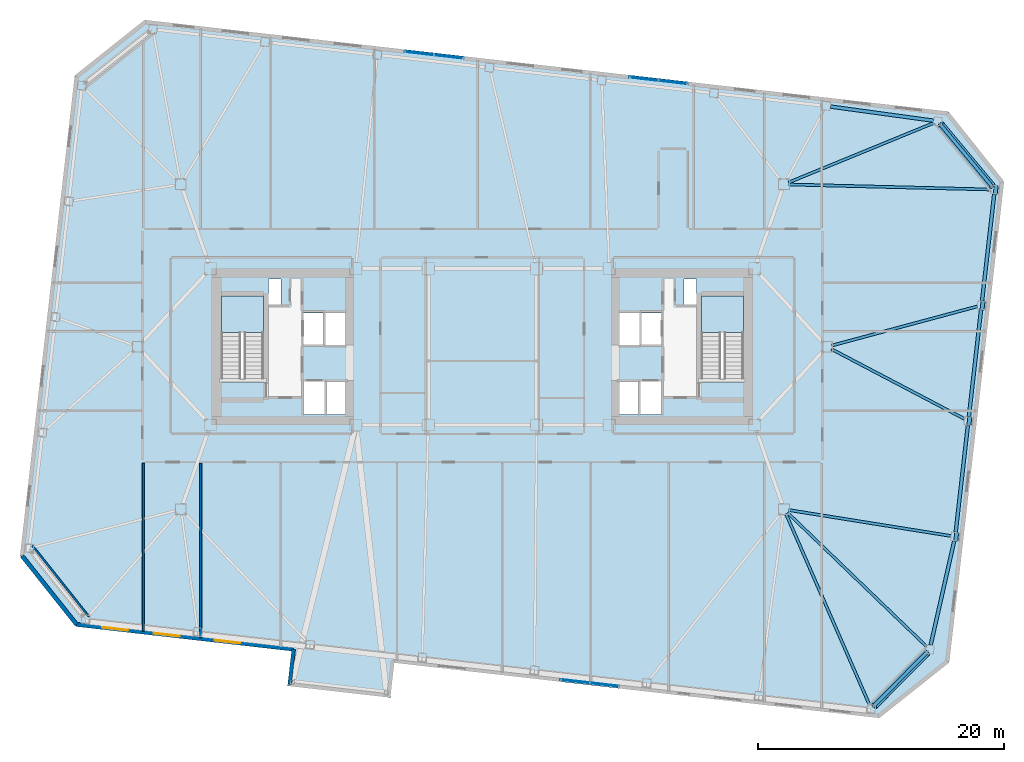
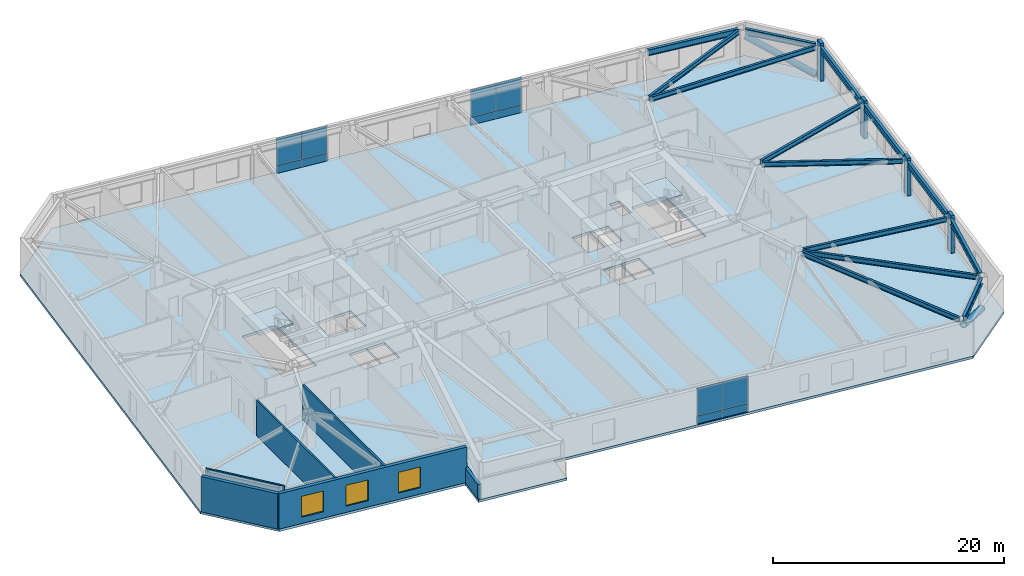
# One storey, part 9 of 19: 14 beams, 12 plates, 6 members, 6 walls, 3 slabs, 3 windows, 3 openings, 5 elements without a shape of their own.
"""IFC4 building model written with IfcOpenShell, lengths in metres."""

import ifcopenshell
import ifcopenshell.guid

model = None  # the IFC model being written
_history = None  # IfcOwnerHistory: only IFC2X3 demands one
_inside = {}  # id of a spatial element -> (the spatial element, [elements in it])
_under = {}  # id of a project, library or spatial element -> (it, [spatial elements below it])
_declared = {}  # id of a project -> (the project, [libraries it declares])
_typed = {}  # id of a type object -> (the type object, [elements of that type])
_made_of = {}  # id of a material, layer set ... -> (it, [elements and type objects made of it])


def new_model(schema):
    """Start an empty IFC model of exactly this schema.

    Asked for "IFC4X3", IfcOpenShell would pick the latest addendum, in which some entities
    have other attributes; the version numbers below select the first issue.
    IFC2X3 requires an IfcOwnerHistory on every rooted entity: one is made here for all.
    """
    global model, _history
    if schema == "IFC4X3":
        model = ifcopenshell.file(schema_version=(4, 3, 0, 0))
    else:
        model = ifcopenshell.file(schema=schema)
    _inside.clear()
    _under.clear()
    _declared.clear()
    _typed.clear()
    _made_of.clear()
    _history = None
    if model.schema == "IFC2X3":
        org = make("IfcOrganization", Name="unknown")
        user = make(
            "IfcPersonAndOrganization",
            ThePerson=make("IfcPerson", FamilyName="unknown"),
            TheOrganization=org,
        )
        app = make(
            "IfcApplication",
            ApplicationDeveloper=org,
            Version="unknown",
            ApplicationFullName="unknown",
            ApplicationIdentifier="unknown",
        )
        _history = make(
            "IfcOwnerHistory",
            OwningUser=user,
            OwningApplication=app,
            ChangeAction="ADDED",
            CreationDate=0,
        )
    return model


def make(cls, **values):
    """One entity of the class cls with the attributes given. An attribute that is None is left unset."""
    return model.create_entity(
        cls, **{name: value for name, value in values.items() if value is not None}
    )


def rooted(cls, **values):
    """An entity with a GlobalId (a new one), such as an element, a storey or a relation."""
    return make(cls, GlobalId=ifcopenshell.guid.new(), OwnerHistory=_history, **values)


def si_unit(unit_type, name, prefix=None):
    """IfcSIUnit, for example si_unit("LENGTHUNIT", "METRE", prefix="MILLI")."""
    return make("IfcSIUnit", UnitType=unit_type, Prefix=prefix, Name=name)


def assignment(units):
    """IfcUnitAssignment: the units of a project."""
    return None if units is None else make("IfcUnitAssignment", Units=units)


def point(xyz):
    """IfcCartesianPoint."""
    return None if xyz is None else make("IfcCartesianPoint", Coordinates=xyz)


def direction(xyz):
    """IfcDirection."""
    return None if xyz is None else make("IfcDirection", DirectionRatios=xyz)


def frame(location, z_axis=None, x_axis=None):
    """IfcAxis2Placement3D, a coordinate frame: its origin and axes. An axis left out is left unset."""
    return make(
        "IfcAxis2Placement3D",
        Location=point(location),
        Axis=direction(z_axis),
        RefDirection=direction(x_axis),
    )


def frame_2d(location, x_axis=None):
    """IfcAxis2Placement2D, a coordinate frame in the plane: its origin and x axis."""
    return make(
        "IfcAxis2Placement2D", Location=point(location), RefDirection=direction(x_axis)
    )


def origin():
    """The frame at (0, 0, 0) with its axes left unset."""
    return frame((0.0, 0.0, 0.0))


def origin_2d():
    """The frame at (0, 0) in the plane with its x axis left unset."""
    return frame_2d((0.0, 0.0))


def place(relative_to, where):
    """IfcLocalPlacement: puts the frame where relative to a parent placement (None: the world)."""
    return make(
        "IfcLocalPlacement", PlacementRelTo=relative_to, RelativePlacement=where
    )


def context(
    kind, dimensions, precision=None, world=None, true_north=None, identifier=None
):
    """IfcGeometricRepresentationContext, for example the 3D "Model" context."""
    return make(
        "IfcGeometricRepresentationContext",
        ContextIdentifier=identifier,
        ContextType=kind,
        CoordinateSpaceDimension=dimensions,
        Precision=precision,
        WorldCoordinateSystem=world,
        TrueNorth=true_north,
    )


def subcontext(parent, identifier, kind, view, scale=None):
    """IfcGeometricRepresentationSubContext, for example "Body" below "Model"."""
    return make(
        "IfcGeometricRepresentationSubContext",
        ContextIdentifier=identifier,
        ContextType=kind,
        ParentContext=parent,
        TargetScale=scale,
        TargetView=view,
    )


def project(units=None, contexts=None):
    """IfcProject with its units and contexts."""
    return rooted(
        "IfcProject",
        Name="project",
        RepresentationContexts=contexts,
        UnitsInContext=assignment(units),
    )


def spatial(cls, under=None, at=None, **own):
    """A site, building, storey or space (cls), placed at a placement, below another one or the project."""
    s = rooted(cls, ObjectPlacement=at, **own)
    if under is not None:
        _under.setdefault(under.id(), (under, []))[1].append(s)
    return s


def polyline(points):
    """IfcPolyline through the points."""
    return make("IfcPolyline", Points=[point(p) for p in points])


def profile(cls, at=None, kind="AREA", **sizes):
    """A parametric profile (cls). Its sizes go by their IFC names, for example OverallWidth=200.0."""
    return make(cls, ProfileType=kind, Position=at, **sizes)


def rectangle(**sizes):
    """IfcRectangleProfileDef."""
    return profile("IfcRectangleProfileDef", **sizes)


def hollow_circle(**sizes):
    """IfcCircleHollowProfileDef."""
    return profile("IfcCircleHollowProfileDef", **sizes)


def i_section(**sizes):
    """IfcIShapeProfileDef."""
    return profile("IfcIShapeProfileDef", **sizes)


def outline(outer, holes=None, kind="AREA"):
    """IfcArbitraryClosedProfileDef: a profile drawn as a closed curve; with holes, ...WithVoids."""
    if holes is None:
        return make("IfcArbitraryClosedProfileDef", ProfileType=kind, OuterCurve=outer)
    return make(
        "IfcArbitraryProfileDefWithVoids",
        ProfileType=kind,
        OuterCurve=outer,
        InnerCurves=holes,
    )


def extrude(swept, where, along, depth):
    """IfcExtrudedAreaSolid: the profile swept, set in the frame where, extruded along a direction by depth."""
    return make(
        "IfcExtrudedAreaSolid",
        SweptArea=swept,
        Position=where,
        ExtrudedDirection=direction(along),
        Depth=depth,
    )


def shape(context_of_items, identifier, shape_type, items):
    """IfcShapeRepresentation: the items that make up one representation, for example the "Body"."""
    return make(
        "IfcShapeRepresentation",
        ContextOfItems=context_of_items,
        RepresentationIdentifier=identifier,
        RepresentationType=shape_type,
        Items=items,
    )


def material(Name=None, Category=None):
    """IfcMaterial."""
    return make("IfcMaterial", Name=Name, Category=Category)


def layer(
    of_material, thickness, ventilated=None, Name=None, Category=None, Priority=None
):
    """IfcMaterialLayer: one layer of a wall or slab, of a material (None: an air gap)."""
    return make(
        "IfcMaterialLayer",
        Material=of_material,
        LayerThickness=thickness,
        IsVentilated=ventilated,
        Name=Name,
        Category=Category,
        Priority=Priority,
    )


def layer_set(layers, Name=None):
    """IfcMaterialLayerSet."""
    return make("IfcMaterialLayerSet", MaterialLayers=layers, LayerSetName=Name)


def material_profile(
    of_material, cross_section, Name=None, Category=None, Priority=None
):
    """IfcMaterialProfile: a cross section and its material."""
    return make(
        "IfcMaterialProfile",
        Name=Name,
        Material=of_material,
        Profile=cross_section,
        Priority=Priority,
        Category=Category,
    )


def profile_set(profiles, Name=None, composite=None):
    """IfcMaterialProfileSet."""
    return make(
        "IfcMaterialProfileSet",
        Name=Name,
        MaterialProfiles=profiles,
        CompositeProfile=composite,
    )


def made_of(thing, what):
    """Note that an element or type object is made of a material, layer set ...; save() writes the relation."""
    if what is not None:
        _made_of.setdefault(what.id(), (what, []))[1].append(thing)
    return thing


def type_object(cls, material=None, **own):
    """A type object (cls), such as IfcWallType, which elements share."""
    return made_of(rooted(cls, **own), material)


def element(
    cls,
    number,
    at=None,
    inside=None,
    cuts=None,
    type_object=None,
    material=None,
    context=None,
    identifier="Body",
    shape_type=None,
    held_by="IfcProductDefinitionShape",
    body=None,
    shapes=None,
    **own,
):
    """One element of the class cls, such as IfcWall. Its Tag is "e" and its number.

    at: its placement. inside: the storey or other place that contains it. cuts: it is an
    opening in that element (IfcRelVoidsElement). A single representation is given by context,
    identifier, shape_type and body (its items); several are given by shapes. held_by: the class
    of the entity that holds the representations. save() writes the other relations.
    """
    e = rooted(cls, Tag="e%d" % number, ObjectPlacement=at, **own)
    if body is not None:
        shapes = [shape(context, identifier, shape_type, body)]
    if shapes is not None:
        e.Representation = make(held_by, Representations=shapes)
    if inside is not None:
        _inside.setdefault(inside.id(), (inside, []))[1].append(e)
    if cuts is not None:
        rooted(
            "IfcRelVoidsElement", RelatingBuildingElement=cuts, RelatedOpeningElement=e
        )
    if type_object is not None:
        _typed.setdefault(type_object.id(), (type_object, []))[1].append(e)
    return made_of(e, material)


def fill(opening, filler):
    """IfcRelFillsElement: the door or window that sits in an opening."""
    return rooted(
        "IfcRelFillsElement",
        RelatingOpeningElement=opening,
        RelatedBuildingElement=filler,
    )


def aggregate(whole, parts):
    """IfcRelAggregates: a whole, such as a stair, and the parts it consists of."""
    return rooted("IfcRelAggregates", RelatingObject=whole, RelatedObjects=parts)


def save(model, path):
    """Write the relations noted so far, then the file.

    IfcRelAggregates (storeys below a building ...), IfcRelContainedInSpatialStructure (elements
    in a storey), IfcRelDefinesByType, IfcRelAssociatesMaterial and IfcRelDeclares: one each for
    every whole, place, type object, material and project.
    """
    for whole, parts in _under.values():
        aggregate(whole, parts)
    for where, things in _inside.values():
        rooted(
            "IfcRelContainedInSpatialStructure",
            RelatedElements=things,
            RelatingStructure=where,
        )
    for kind, things in _typed.values():
        rooted("IfcRelDefinesByType", RelatedObjects=things, RelatingType=kind)
    for what, things in _made_of.values():
        rooted("IfcRelAssociatesMaterial", RelatedObjects=things, RelatingMaterial=what)
    for by, libraries in _declared.values():
        rooted("IfcRelDeclares", RelatingContext=by, RelatedDefinitions=libraries)
    model.write(path)


model = new_model("IFC4")

# Units and contexts
model_context = context("Model", 3, precision=1e-05, world=origin(), true_north=direction((0.0, 1.0)))
body_context = subcontext(model_context, "Body", "Model", "MODEL_VIEW")
ifc_project = project(units=[si_unit("LENGTHUNIT", "METRE"), si_unit("AREAUNIT", "SQUARE_METRE"), si_unit("VOLUMEUNIT", "CUBIC_METRE"), si_unit("PLANEANGLEUNIT", "RADIAN"), si_unit("MASSUNIT", "GRAM", prefix="KILO")], contexts=[model_context])

# Site, building, storey
site_placement = place(None, origin())
site = spatial("IfcSite", under=ifc_project, at=site_placement, CompositionType="ELEMENT")
building_placement = place(site_placement, origin())
building = spatial("IfcBuilding", under=site, at=building_placement, Name="Tavrogorsk Clinical Tower", CompositionType="ELEMENT")
storey_placement = place(building_placement, frame((0.0, 0.0, 97.39990234375)))
storey = spatial("IfcBuildingStorey", under=building, at=storey_placement, Name="L21", CompositionType="ELEMENT", Elevation=97.39990234375)

# Members
ifc_material_1 = material(Name="Structural steel S440", Category="steel")
ifc_material_profile_1 = material_profile(ifc_material_1, hollow_circle(Radius=0.304931640625, WallThickness=0.02490234375, at=origin_2d()), Name="CHS-610x25")
ifc_profile_set_1 = profile_set([ifc_material_profile_1], Name="Structural steel S440")
member_type_1 = type_object("IfcMemberType", Name="ExoBrace_CHS610", PredefinedType="BRACE", material=ifc_profile_set_1)
member_1_placement = place(storey_placement, frame((36.1025390625, -24.82763671875, 0.4345703125), z_axis=(-0.651430241483, -0.659222469252, 0.375585378463), x_axis=(0.711298174517, -0.702890394677, 0.0)))
element("IfcMember", 1, at=member_1_placement, inside=storey, type_object=member_type_1, Name="L21 Corner Exoskeleton Brace S8-E1", PredefinedType="BRACE", context=body_context, shape_type="SweptSolid", body=[
    extrude(hollow_circle(Radius=0.304931640625, WallThickness=0.02490234375, at=origin_2d()), origin(), (0.0, 0.0, 1.0), 6.57958984375),
])
member_2_placement = place(storey_placement, frame((41.40771484375, 13.03076171875, 0.427001953125), z_axis=(-0.598616328588, 0.718269947263, 0.354607915882), x_axis=(-0.768190751014, -0.640221032189, 0.0)))
element("IfcMember", 2, at=member_2_placement, inside=storey, type_object=member_type_1, Name="L21 Corner Exoskeleton Brace E5-N1", PredefinedType="BRACE", context=body_context, shape_type="SweptSolid", body=[
    extrude(hollow_circle(Radius=0.304931640625, WallThickness=0.02490234375, at=origin_2d()), origin(), (0.0, 0.0, 1.0), 7.0107421875),
])

# Beams
ifc_material_2 = material(Name="Structural steel S355", Category="steel")
ifc_material_profile_2 = material_profile(ifc_material_2, i_section(OverallWidth=0.219970703125, OverallDepth=0.5, WebThickness=0.012939453125, FlangeThickness=0.02001953125, at=origin_2d()), Name="B-500x220x13x20")
ifc_profile_set_2 = profile_set([ifc_material_profile_2], Name="Structural steel S355")
beam_type_1 = type_object("IfcBeamType", Name="FloorBeam_B500", PredefinedType="BEAM", material=ifc_profile_set_2)
beam_1_placement = place(storey_placement, frame((24.664306640625, -13.57568359375, 3.489990234375), z_axis=(0.400586354613, -0.916259009504, 0.0), x_axis=(0.916259009504, 0.400586354613, 0.0)))
element("IfcBeam", 3, at=beam_1_placement, inside=storey, type_object=beam_type_1, Name="L21 Radial Floor Beam S8", PredefinedType="BEAM", context=body_context, shape_type="SweptSolid", body=[
    extrude(i_section(OverallWidth=0.219970703125, OverallDepth=0.5, WebThickness=0.012939453125, FlangeThickness=0.02001953125, at=origin_2d()), origin(), (0.0, 0.0, 1.0), 16.91357421875),
])
beam_2_placement = place(storey_placement, frame((24.87939453125, 13.35546875, 3.489990234375), z_axis=(0.925250223374, 0.379357383143, 0.0), x_axis=(-0.379357383143, 0.925250223374, 0.0)))
element("IfcBeam", 4, at=beam_2_placement, inside=storey, type_object=beam_type_1, Name="L21 Radial Floor Beam N1", PredefinedType="BEAM", context=body_context, shape_type="SweptSolid", body=[
    extrude(i_section(OverallWidth=0.219970703125, OverallDepth=0.5, WebThickness=0.012939453125, FlangeThickness=0.02001953125, at=origin_2d()), origin(), (0.0, 0.0, 1.0), 12.738037109375),
])
beam_3_placement = place(storey_placement, frame((24.79541015625, -13.484375, 3.489990234375), z_axis=(0.720494740362, -0.693460401977, 0.0), x_axis=(0.693460401977, 0.720494740362, 0.0)))
element("IfcBeam", 5, at=beam_3_placement, inside=storey, type_object=beam_type_1, Name="L21 Radial Floor Beam E1", PredefinedType="BEAM", context=body_context, shape_type="SweptSolid", body=[
    extrude(i_section(OverallWidth=0.219970703125, OverallDepth=0.5, WebThickness=0.012939453125, FlangeThickness=0.02001953125, at=origin_2d()), origin(), (0.0, 0.0, 1.0), 15.659423828125),
])
beam_4_placement = place(storey_placement, frame((24.90478515625, -13.2646484375, 3.489990234375), z_axis=(0.987456527754, -0.157891120067, 0.0), x_axis=(0.157891120067, 0.987456527754, 0.0)))
element("IfcBeam", 6, at=beam_4_placement, inside=storey, type_object=beam_type_1, Name="L21 Radial Floor Beam E2", PredefinedType="BEAM", context=body_context, shape_type="SweptSolid", body=[
    extrude(i_section(OverallWidth=0.219970703125, OverallDepth=0.5, WebThickness=0.012939453125, FlangeThickness=0.02001953125, at=origin_2d()), origin(), (0.0, 0.0, 1.0), 13.31787109375),
])
beam_5_placement = place(storey_placement, frame((28.363037109375, -0.1904296875, 3.489990234375), z_axis=(0.885467298335, -0.464701693111, 0.0), x_axis=(0.464701693111, 0.885467298335, 0.0)))
element("IfcBeam", 7, at=beam_5_placement, inside=storey, type_object=beam_type_1, Name="L21 Radial Floor Beam E3", PredefinedType="BEAM", context=body_context, shape_type="SweptSolid", body=[
    extrude(i_section(OverallWidth=0.219970703125, OverallDepth=0.5, WebThickness=0.012939453125, FlangeThickness=0.02001953125, at=origin_2d()), origin(), (0.0, 0.0, 1.0), 12.197021484375),
])
beam_6_placement = place(storey_placement, frame((28.39599609375, 0.1064453125, 3.489990234375), z_axis=(0.965705720144, 0.259639099677, 0.0), x_axis=(-0.259639099677, 0.965705720144, 0.0)))
element("IfcBeam", 8, at=beam_6_placement, inside=storey, type_object=beam_type_1, Name="L21 Radial Floor Beam E4", PredefinedType="BEAM", context=body_context, shape_type="SweptSolid", body=[
    extrude(i_section(OverallWidth=0.219970703125, OverallDepth=0.5, WebThickness=0.012939453125, FlangeThickness=0.02001953125, at=origin_2d()), origin(), (0.0, 0.0, 1.0), 12.228759765625),
])
beam_7_placement = place(storey_placement, frame((24.909912109375, 13.189697265625, 3.489990234375), z_axis=(0.999690121031, -0.024893009314, 0.0), x_axis=(0.024893009314, 0.999690121031, 0.0)))
element("IfcBeam", 9, at=beam_7_placement, inside=storey, type_object=beam_type_1, Name="L21 Radial Floor Beam E5", PredefinedType="BEAM", context=body_context, shape_type="SweptSolid", body=[
    extrude(i_section(OverallWidth=0.219970703125, OverallDepth=0.5, WebThickness=0.012939453125, FlangeThickness=0.02001953125, at=origin_2d()), origin(), (0.0, 0.0, 1.0), 16.359130859375),
])

# Members
ifc_material_3 = material(Name="Precast concrete B45 with limestone cladding", Category="masonry")
ifc_material_profile_3 = material_profile(ifc_material_3, rectangle(XDim=0.320068359375, YDim=0.719970703125, at=origin_2d()), Name="LIMESTONE-FIN-320x720")
ifc_profile_set_3 = profile_set([ifc_material_profile_3], Name="Precast concrete B45 with limestone cladding")
member_type_2 = type_object("IfcMemberType", Name="LimestonePleatFin_320x720", PredefinedType="USERDEFINED", material=ifc_profile_set_3)
for number, where, z_axis, x_axis, name in (
    (10, (38.48876953125, -15.432861328125, 0.0), (0.0, 0.0, 1.0), (0.993571855677, -0.113203213768, 0.0), "L21 E Pleated Stone Fin 1"),
    (11, (39.5595703125, -6.03369140625, 0.0), (0.0, 0.0, 1.0), (0.993571855677, -0.113203213768, 0.0), "L21 E Pleated Stone Fin 2"),
    (12, (40.63037109375, 3.365234375, 0.0), (0.0, 0.0, 1.0), (0.993571855677, -0.113203213768, 0.0), "L21 E Pleated Stone Fin 3"),
    (13, (41.701416015625, 12.7646484375, 0.0), (0.0, 0.0, 1.0), (0.993571855677, -0.113203213768, 0.0), "L21 E Pleated Stone Fin 4"),
):
    element("IfcMember", number, at=place(storey_placement, frame(where, z_axis=z_axis, x_axis=x_axis)), inside=storey, type_object=member_type_2, Name=name, ObjectType="FIN", PredefinedType="USERDEFINED", context=body_context, shape_type="SweptSolid", body=[
        extrude(rectangle(XDim=0.320068359375, YDim=0.719970703125, at=origin_2d()), origin(), (0.0, 0.0, 1.0), 4.0),
    ])

# Beams
ifc_material_4 = material(Name="Structural steel S390", Category="steel")
ifc_material_profile_4 = material_profile(ifc_material_4, i_section(OverallWidth=0.280029296875, OverallDepth=0.64990234375, WebThickness=0.01611328125, FlangeThickness=0.02490234375, at=origin_2d()), Name="B-650x280x16x25")
ifc_profile_set_4 = profile_set([ifc_material_profile_4], Name="Structural steel S390")
beam_type_2 = type_object("IfcBeamType", Name="SpandrelBeam_B650", PredefinedType="SPANDREL", material=ifc_profile_set_4)
beam_8_placement = place(storey_placement, frame((31.834716796875, -29.146240234375, 3.4150390625), z_axis=(0.702934929184, 0.711254163667, 0.0), x_axis=(-0.711254163667, 0.702934929184, 0.0)))
element("IfcBeam", 14, at=beam_8_placement, inside=storey, type_object=beam_type_2, Name="L21 Perimeter Spandrel S8-E1", PredefinedType="SPANDREL", context=body_context, shape_type="SweptSolid", body=[
    extrude(i_section(OverallWidth=0.280029296875, OverallDepth=0.64990234375, WebThickness=0.01611328125, FlangeThickness=0.02490234375, at=origin_2d()), origin(), (0.0, 0.0, 1.0), 6.04541015625),
])
beam_9_placement = place(storey_placement, frame((36.414794921875, -24.242431640625, 3.4150390625), z_axis=(0.220602599501, 0.975363774749, 0.0), x_axis=(-0.975363774749, 0.220602599501, 0.0)))
element("IfcBeam", 15, at=beam_9_placement, inside=storey, type_object=beam_type_2, Name="L21 Perimeter Spandrel E1-E2", PredefinedType="SPANDREL", context=body_context, shape_type="SweptSolid", body=[
    extrude(i_section(OverallWidth=0.280029296875, OverallDepth=0.64990234375, WebThickness=0.01611328125, FlangeThickness=0.02490234375, at=origin_2d()), origin(), (0.0, 0.0, 1.0), 8.68310546875),
])
for number, where, z_axis, x_axis, name in (
    (16, (38.44970703125, -15.068115234375, 3.4150390625), (0.113192226434, 0.993573107464, 0.0), (-0.993573107464, 0.113192226434, 0.0), "L21 Perimeter Spandrel E2-E3"),
    (17, (39.520751953125, -5.6689453125, 3.4150390625), (0.113192226434, 0.993573107464, 0.0), (-0.993573107464, 0.113192226434, 0.0), "L21 Perimeter Spandrel E3-E4"),
):
    element("IfcBeam", number, at=place(storey_placement, frame(where, z_axis=z_axis, x_axis=x_axis)), inside=storey, type_object=beam_type_2, Name=name, PredefinedType="SPANDREL", context=body_context, shape_type="SweptSolid", body=[
        extrude(i_section(OverallWidth=0.280029296875, OverallDepth=0.64990234375, WebThickness=0.01611328125, FlangeThickness=0.02490234375, at=origin_2d()), origin(), (0.0, 0.0, 1.0), 8.743896484375),
    ])
beam_10_placement = place(storey_placement, frame((40.591552734375, 3.72998046875, 3.4150390625), z_axis=(0.113189086379, 0.993573465188, 0.0), x_axis=(-0.993573465188, 0.113189086379, 0.0)))
element("IfcBeam", 18, at=beam_10_placement, inside=storey, type_object=beam_type_2, Name="L21 Perimeter Spandrel E4-E5", PredefinedType="SPANDREL", context=body_context, shape_type="SweptSolid", body=[
    extrude(i_section(OverallWidth=0.280029296875, OverallDepth=0.64990234375, WebThickness=0.01611328125, FlangeThickness=0.02490234375, at=origin_2d()), origin(), (0.0, 0.0, 1.0), 8.744140625),
])
beam_11_placement = place(storey_placement, frame((41.392578125, 13.048583984375, 3.4150390625), z_axis=(-0.640191778751, 0.768215130299, 0.0), x_axis=(-0.768215130299, -0.640191778751, 0.0)))
element("IfcBeam", 19, at=beam_11_placement, inside=storey, type_object=beam_type_2, Name="L21 Perimeter Spandrel E5-N1", PredefinedType="SPANDREL", context=body_context, shape_type="SweptSolid", body=[
    extrude(i_section(OverallWidth=0.280029296875, OverallDepth=0.64990234375, WebThickness=0.01611328125, FlangeThickness=0.02490234375, at=origin_2d()), origin(), (0.0, 0.0, 1.0), 6.508544921875),
])
beam_12_placement = place(storey_placement, frame((36.641845703125, 18.3720703125, 3.4150390625), z_axis=(-0.990722121657, 0.135903192232, 0.0), x_axis=(-0.135903192232, -0.990722121657, 0.0)))
element("IfcBeam", 20, at=beam_12_placement, inside=storey, type_object=beam_type_2, Name="L21 Perimeter Spandrel N1-N2", PredefinedType="SPANDREL", context=body_context, shape_type="SweptSolid", body=[
    extrude(i_section(OverallWidth=0.280029296875, OverallDepth=0.64990234375, WebThickness=0.01611328125, FlangeThickness=0.02490234375, at=origin_2d()), origin(), (0.0, 0.0, 1.0), 8.439697265625),
])

# Curtain wall, plates
ifc_material_5 = material(Name="Anodised aluminium and triple IGU glazing", Category="aluminium")
ifc_layer_1 = layer(ifc_material_5, 0.179931640625)
ifc_layer_set_1 = layer_set([ifc_layer_1], Name="Anodised aluminium and triple IGU glazing")
curtain_wall_type_1 = type_object("IfcCurtainWallType", Name="CW3_SouthSlot", PredefinedType="NOTDEFINED", material=ifc_layer_set_1)
curtain_wall_1_placement = place(storey_placement, origin())
curtain_wall_1 = element("IfcCurtainWall", 21, at=curtain_wall_1_placement, inside=storey, type_object=curtain_wall_type_1, Name="L21 Curtain Wall CW-L21-S-SLOT-2", PredefinedType="NOTDEFINED")
ifc_material_6 = material(Name="Honed Podolsk limestone spandrel panel", Category="masonry")
ifc_layer_2 = layer(ifc_material_6, 0.080078125)
ifc_layer_set_2 = layer_set([ifc_layer_2], Name="Honed Podolsk limestone spandrel panel")
plate_type_1 = type_object("IfcPlateType", Name="CwSpandrelStonePanel_80", PredefinedType="CURTAIN_PANEL", material=ifc_layer_set_2)
plate_1_placement = place(storey_placement, frame((7.52978515625, -27.173828125, 0.002197265625), z_axis=(0.0, 0.0, 1.0), x_axis=(0.993571858269, -0.113203191016, 0.0)))
plate_1 = element("IfcPlate", 22, at=plate_1_placement, type_object=plate_type_1, Name="CW-L21-S-SLOT-2 Stone Spandrel Panel 1", PredefinedType="CURTAIN_PANEL", context=body_context, shape_type="SweptSolid", body=[
    extrude(rectangle(XDim=2.39208984375, YDim=0.080078125, at=origin_2d()), origin(), (0.0, 0.0, 1.0), 0.8359375),
])
plate_2_placement = place(storey_placement, frame((9.93017578125, -27.447265625, 0.002197265625), z_axis=(0.0, 0.0, 1.0), x_axis=(0.993571858269, -0.113203191016, 0.0)))
plate_2 = element("IfcPlate", 23, at=plate_2_placement, type_object=plate_type_1, Name="CW-L21-S-SLOT-2 Stone Spandrel Panel 2", PredefinedType="CURTAIN_PANEL", context=body_context, shape_type="SweptSolid", body=[
    extrude(rectangle(XDim=2.39208984375, YDim=0.080078125, at=origin_2d()), origin(), (0.0, 0.0, 1.0), 0.8359375),
])

ifc_material_7 = material(Name="Anodised aluminium and triple IGU glazing", Category="aluminium")
ifc_layer_3 = layer(ifc_material_7, 0.179931640625)
ifc_layer_set_3 = layer_set([ifc_layer_3], Name="Anodised aluminium and triple IGU glazing")
curtain_wall_type_2 = type_object("IfcCurtainWallType", Name="CW2_NorthSlot", PredefinedType="NOTDEFINED", material=ifc_layer_set_3)
curtain_wall_2_placement = place(storey_placement, origin())
curtain_wall_2 = element("IfcCurtainWall", 24, at=curtain_wall_2_placement, inside=storey, type_object=curtain_wall_type_2, Name="L21 Curtain Wall CW-L21-N-SLOT-1", PredefinedType="NOTDEFINED")
plate_3_placement = place(storey_placement, frame((-2.729736328125, 23.57373046875, 0.002197265625), z_axis=(0.0, 0.0, 1.0), x_axis=(-0.993571858269, 0.113203191016, 0.0)))
plate_3 = element("IfcPlate", 25, at=plate_3_placement, type_object=plate_type_1, Name="CW-L21-N-SLOT-1 Stone Spandrel Panel 1", PredefinedType="CURTAIN_PANEL", context=body_context, shape_type="SweptSolid", body=[
    extrude(rectangle(XDim=2.39208984375, YDim=0.080078125, at=origin_2d()), origin(), (0.0, 0.0, 1.0), 0.8359375),
])
plate_4_placement = place(storey_placement, frame((-5.130126953125, 23.847412109375, 0.002197265625), z_axis=(0.0, 0.0, 1.0), x_axis=(-0.993571858269, 0.113203191016, 0.0)))
plate_4 = element("IfcPlate", 26, at=plate_4_placement, type_object=plate_type_1, Name="CW-L21-N-SLOT-1 Stone Spandrel Panel 2", PredefinedType="CURTAIN_PANEL", context=body_context, shape_type="SweptSolid", body=[
    extrude(rectangle(XDim=2.39208984375, YDim=0.080078125, at=origin_2d()), origin(), (0.0, 0.0, 1.0), 0.8359375),
])

curtain_wall_3_placement = place(storey_placement, origin())
curtain_wall_3 = element("IfcCurtainWall", 27, at=curtain_wall_3_placement, inside=storey, type_object=curtain_wall_type_2, Name="L21 Curtain Wall CW-L21-N-SLOT-2", PredefinedType="NOTDEFINED")
plate_5_placement = place(storey_placement, frame((15.506591796875, 21.49609375, 0.002197265625), z_axis=(0.0, 0.0, 1.0), x_axis=(-0.993571855603, 0.11320321441, 0.0)))
plate_5 = element("IfcPlate", 28, at=plate_5_placement, type_object=plate_type_1, Name="CW-L21-N-SLOT-2 Stone Spandrel Panel 1", PredefinedType="CURTAIN_PANEL", context=body_context, shape_type="SweptSolid", body=[
    extrude(rectangle(XDim=2.39208984375, YDim=0.080078125, at=origin_2d()), origin(), (0.0, 0.0, 1.0), 0.8359375),
])
plate_6_placement = place(storey_placement, frame((13.106201171875, 21.76953125, 0.002197265625), z_axis=(0.0, 0.0, 1.0), x_axis=(-0.993571855603, 0.11320321441, 0.0)))
plate_6 = element("IfcPlate", 29, at=plate_6_placement, type_object=plate_type_1, Name="CW-L21-N-SLOT-2 Stone Spandrel Panel 2", PredefinedType="CURTAIN_PANEL", context=body_context, shape_type="SweptSolid", body=[
    extrude(rectangle(XDim=2.39208984375, YDim=0.080078125, at=origin_2d()), origin(), (0.0, 0.0, 1.0), 0.8359375),
])

# Plate
ifc_material_8 = material(Name="Triple low-E argon insulated glass", Category="glass")
ifc_layer_4 = layer(ifc_material_8, 0.048095703125)
ifc_layer_set_4 = layer_set([ifc_layer_4], Name="Triple low-E argon insulated glass")
plate_type_2 = type_object("IfcPlateType", Name="CwVisionGlassPanel_48", PredefinedType="CURTAIN_PANEL", material=ifc_layer_set_4)
plate_7_placement = place(storey_placement, frame((7.52978515625, -27.173828125, 0.862060546875), z_axis=(0.0, 0.0, 1.0), x_axis=(0.993571858269, -0.113203191016, 0.0)))
plate_7 = element("IfcPlate", 30, at=plate_7_placement, type_object=plate_type_2, Name="CW-L21-S-SLOT-2 Glazing Panel 1", PredefinedType="CURTAIN_PANEL", context=body_context, shape_type="SweptSolid", body=[
    extrude(rectangle(XDim=2.39208984375, YDim=0.048095703125, at=origin_2d()), origin(), (0.0, 0.0, 1.0), 2.8759765625),
])

plate_8_placement = place(storey_placement, frame((9.93017578125, -27.447265625, 0.862060546875), z_axis=(0.0, 0.0, 1.0), x_axis=(0.993571858269, -0.113203191016, 0.0)))
plate_8 = element("IfcPlate", 31, at=plate_8_placement, type_object=plate_type_2, Name="CW-L21-S-SLOT-2 Glazing Panel 2", PredefinedType="CURTAIN_PANEL", context=body_context, shape_type="SweptSolid", body=[
    extrude(rectangle(XDim=2.39208984375, YDim=0.048095703125, at=origin_2d()), origin(), (0.0, 0.0, 1.0), 2.8759765625),
])

aggregate(curtain_wall_1, [plate_1, plate_7, plate_2, plate_8])

plate_9_placement = place(storey_placement, frame((-2.729736328125, 23.57373046875, 0.862060546875), z_axis=(0.0, 0.0, 1.0), x_axis=(-0.993571858269, 0.113203191016, 0.0)))
plate_9 = element("IfcPlate", 32, at=plate_9_placement, type_object=plate_type_2, Name="CW-L21-N-SLOT-1 Glazing Panel 1", PredefinedType="CURTAIN_PANEL", context=body_context, shape_type="SweptSolid", body=[
    extrude(rectangle(XDim=2.39208984375, YDim=0.048095703125, at=origin_2d()), origin(), (0.0, 0.0, 1.0), 2.8759765625),
])

plate_10_placement = place(storey_placement, frame((-5.130126953125, 23.847412109375, 0.862060546875), z_axis=(0.0, 0.0, 1.0), x_axis=(-0.993571858269, 0.113203191016, 0.0)))
plate_10 = element("IfcPlate", 33, at=plate_10_placement, type_object=plate_type_2, Name="CW-L21-N-SLOT-1 Glazing Panel 2", PredefinedType="CURTAIN_PANEL", context=body_context, shape_type="SweptSolid", body=[
    extrude(rectangle(XDim=2.39208984375, YDim=0.048095703125, at=origin_2d()), origin(), (0.0, 0.0, 1.0), 2.8759765625),
])

aggregate(curtain_wall_2, [plate_3, plate_9, plate_4, plate_10])

plate_11_placement = place(storey_placement, frame((15.506591796875, 21.49609375, 0.862060546875), z_axis=(0.0, 0.0, 1.0), x_axis=(-0.993571855603, 0.11320321441, 0.0)))
plate_11 = element("IfcPlate", 34, at=plate_11_placement, type_object=plate_type_2, Name="CW-L21-N-SLOT-2 Glazing Panel 1", PredefinedType="CURTAIN_PANEL", context=body_context, shape_type="SweptSolid", body=[
    extrude(rectangle(XDim=2.39208984375, YDim=0.048095703125, at=origin_2d()), origin(), (0.0, 0.0, 1.0), 2.8759765625),
])

plate_12_placement = place(storey_placement, frame((13.106201171875, 21.76953125, 0.862060546875), z_axis=(0.0, 0.0, 1.0), x_axis=(-0.993571855603, 0.11320321441, 0.0)))
plate_12 = element("IfcPlate", 35, at=plate_12_placement, type_object=plate_type_2, Name="CW-L21-N-SLOT-2 Glazing Panel 2", PredefinedType="CURTAIN_PANEL", context=body_context, shape_type="SweptSolid", body=[
    extrude(rectangle(XDim=2.39208984375, YDim=0.048095703125, at=origin_2d()), origin(), (0.0, 0.0, 1.0), 2.8759765625),
])

aggregate(curtain_wall_3, [plate_5, plate_11, plate_6, plate_12])

# Stair, slab
ifc_material_9 = material(Name="Concrete B60", Category="concrete")
stair_type = type_object("IfcStairType", Name="CoreStairAssembly", PredefinedType="HALF_TURN_STAIR", material=ifc_material_9)
stair_1_placement = place(storey_placement, origin())
stair_1 = element("IfcStair", 36, at=stair_1_placement, inside=storey, type_object=stair_type, Name="L21 ST-W", PredefinedType="HALF_TURN_STAIR")
ifc_material_10 = material(Name="Concrete B60", Category="concrete")
ifc_layer_5 = layer(ifc_material_10, 0.199951171875)
ifc_layer_set_5 = layer_set([ifc_layer_5], Name="Concrete B60")
slab_type_1 = type_object("IfcSlabType", Name="StairLanding_200", PredefinedType="LANDING", material=ifc_layer_set_5)
slab_1_placement = place(storey_placement, frame((0.0, 0.0, 1.800048828125)))
slab_1 = element("IfcSlab", 37, at=slab_1_placement, type_object=slab_type_1, Name="ST-W landing 1", PredefinedType="LANDING", context=body_context, shape_type="SweptSolid", body=[
    extrude(outline(polyline([(-17.800048828125, 1.1650390625), (-17.800048828125, 4.125), (-21.199951171875, 4.125), (-21.199951171875, 1.1650390625), (-17.800048828125, 1.1650390625)])), origin(), (0.0, 0.0, 1.0), 0.199951171875),
])
aggregate(stair_1, [slab_1])

stair_2_placement = place(storey_placement, origin())
stair_2 = element("IfcStair", 38, at=stair_2_placement, inside=storey, type_object=stair_type, Name="L21 ST-E", PredefinedType="HALF_TURN_STAIR")
slab_2_placement = place(storey_placement, frame((0.0, 0.0, 1.800048828125)))
slab_2 = element("IfcSlab", 39, at=slab_2_placement, type_object=slab_type_1, Name="ST-E landing 1", PredefinedType="LANDING", context=body_context, shape_type="SweptSolid", body=[
    extrude(outline(polyline([(21.199951171875, 1.1650390625), (21.199951171875, 4.125), (17.800048828125, 4.125), (17.800048828125, 1.1650390625), (21.199951171875, 1.1650390625)])), origin(), (0.0, 0.0, 1.0), 0.199951171875),
])
aggregate(stair_2, [slab_2])

# Slab
ifc_material_11 = material(Name="Concrete B60", Category="concrete")
ifc_layer_6 = layer(ifc_material_11, 0.260009765625)
ifc_layer_set_6 = layer_set([ifc_layer_6], Name="Concrete B60")
slab_type_2 = type_object("IfcSlabType", Name="WardSlab_260", PredefinedType="FLOOR", material=ifc_layer_set_6)
slab_3_placement = place(storey_placement, frame((0.0, 0.0, -0.260009765625)))
element("IfcSlab", 40, at=slab_3_placement, inside=storey, type_object=slab_type_2, Name="L21 Structural Slab", PredefinedType="FLOOR", context=body_context, shape_type="SweptSolid", body=[
    extrude(outline(polyline([(-32.99658203125, -22.7275390625), (-37.574462890625, -16.972412109375), (-33.136962890625, 21.9755859375), (-27.381591796875, 26.5537109375), (37.796630859375, 19.12744140625), (42.37451171875, 13.372314453125), (37.93701171875, -25.57568359375), (32.181640625, -30.153564453125), (-7.163818359375, -25.6708984375), (-7.486328125, -28.50244140625), (-15.83251953125, -27.551513671875), (-15.509765625, -24.719970703125), (-32.99658203125, -22.7275390625)]), holes=[polyline([(-17.800048828125, -2.8798828125), (-17.800048828125, 4.125), (-21.199951171875, 4.125), (-21.199951171875, -2.8798828125), (-17.800048828125, -2.8798828125)]), polyline([(21.199951171875, -2.8798828125), (21.199951171875, 4.125), (17.800048828125, 4.125), (17.800048828125, -2.8798828125), (21.199951171875, -2.8798828125)]), polyline([(-14.6201171875, 0.169921875), (-12.860107421875, 0.169921875), (-12.860107421875, 2.72998046875), (-14.6201171875, 2.72998046875), (-14.6201171875, 0.169921875)]), polyline([(-14.530029296875, -5.47998046875), (-12.77001953125, -5.47998046875), (-12.77001953125, -2.820068359375), (-14.530029296875, -2.820068359375), (-14.530029296875, -5.47998046875)]), polyline([(-12.72998046875, -5.47998046875), (-10.969970703125, -5.47998046875), (-10.969970703125, -2.820068359375), (-12.72998046875, -2.820068359375), (-12.72998046875, -5.47998046875)]), polyline([(-12.840087890625, 0.1201171875), (-11.080078125, 0.1201171875), (-11.080078125, 2.780029296875), (-12.840087890625, 2.780029296875), (-12.840087890625, 0.1201171875)]), polyline([(12.860107421875, 0.169921875), (14.6201171875, 0.169921875), (14.6201171875, 2.72998046875), (12.860107421875, 2.72998046875), (12.860107421875, 0.169921875)]), polyline([(12.77001953125, -5.47998046875), (14.530029296875, -5.47998046875), (14.530029296875, -2.820068359375), (12.77001953125, -2.820068359375), (12.77001953125, -5.47998046875)]), polyline([(10.969970703125, -5.47998046875), (12.72998046875, -5.47998046875), (12.72998046875, -2.820068359375), (10.969970703125, -2.820068359375), (10.969970703125, -5.47998046875)]), polyline([(11.080078125, 0.1201171875), (12.840087890625, 0.1201171875), (12.840087890625, 2.780029296875), (11.080078125, 2.780029296875), (11.080078125, 0.1201171875)]), polyline([(-17.3798828125, 3.449951171875), (-16.3798828125, 3.449951171875), (-16.3798828125, 5.5), (-17.3798828125, 5.5), (-17.3798828125, 3.449951171875)]), polyline([(16.3798828125, 3.449951171875), (17.3798828125, 3.449951171875), (17.3798828125, 5.5), (16.3798828125, 5.5), (16.3798828125, 3.449951171875)])]), origin(), (0.0, 0.0, 1.0), 0.260009765625),
])

# Walls
ifc_material_12 = material(Name="Lightweight concrete blockwork B15", Category="masonry")
ifc_layer_7 = layer(ifc_material_12, 0.159912109375)
ifc_layer_set_7 = layer_set([ifc_layer_7], Name="Lightweight concrete blockwork B15")
wall_type_1 = type_object("IfcWallType", Name="PartitionWall_160", PredefinedType="PARTITIONING", material=ifc_layer_set_7)
wall_1_placement = place(storey_placement, frame((-36.555908203125, -16.161865234375, 0.0), z_axis=(0.0, 0.0, 1.0), x_axis=(0.622522641622, -0.782601789334, 0.0)))
element("IfcWall", 41, at=wall_1_placement, inside=storey, type_object=wall_type_1, Name="L21 Corner Exoskeleton Brace Furring Wall 4", PredefinedType="PARTITIONING", context=body_context, shape_type="SweptSolid", body=[
    extrude(rectangle(XDim=7.354248046875, YDim=0.159912109375, at=frame_2d((3.67724609375, 0.0))), origin(), (0.0, 0.0, 1.0), 3.739990234375),
])
wall_2_placement = place(storey_placement, frame((-27.550048828125, -23.1064453125, 0.0), z_axis=(0.0, 0.0, 1.0), x_axis=(0.0, 1.0, 0.0)))
element("IfcWall", 42, at=wall_2_placement, inside=storey, type_object=wall_type_1, Name="L21 SW Wing Closure Partition", PredefinedType="PARTITIONING", context=body_context, shape_type="SweptSolid", body=[
    extrude(rectangle(XDim=13.641357421875, YDim=0.159912109375, at=frame_2d((6.82080078125, 0.0))), origin(), (0.0, 0.0, 1.0), 3.739990234375),
])
wall_3_placement = place(storey_placement, frame((-22.89990234375, -23.63623046875, 0.0), z_axis=(0.0, 0.0, 1.0), x_axis=(0.0, 1.0, 0.0)))
element("IfcWall", 43, at=wall_3_placement, inside=storey, type_object=wall_type_1, Name="L21 South Room Partition 1", PredefinedType="PARTITIONING", context=body_context, shape_type="SweptSolid", body=[
    extrude(rectangle(XDim=14.171142578125, YDim=0.159912109375, at=frame_2d((7.08544921875, 0.0))), origin(), (0.0, 0.0, 1.0), 3.739990234375),
])

# Wall, openings, windows
ifc_material_13 = material(Name="Precast concrete B45 with limestone cladding", Category="masonry")
ifc_layer_8 = layer(ifc_material_13, 0.340087890625)
ifc_layer_set_8 = layer_set([ifc_layer_8], Name="Precast concrete B45 with limestone cladding")
wall_type_2 = type_object("IfcWallType", Name="PrecastLimestoneWall_340", PredefinedType="STANDARD", material=ifc_layer_set_8)
wall_4_placement = place(storey_placement, frame((-32.977294921875, -22.55859375, 0.0), z_axis=(0.0, 0.0, 1.0), x_axis=(0.993570699365, -0.113213362125, 0.0)))
wall_4 = element("IfcWall", 44, at=wall_4_placement, inside=storey, type_object=wall_type_2, Name="L21 S Limestone Facade Wall 1", PredefinedType="STANDARD", context=body_context, shape_type="SweptSolid", body=[
    extrude(rectangle(XDim=17.749755859375, YDim=0.340087890625, at=frame_2d((8.875, 0.0))), origin(), (0.0, 0.0, 1.0), 3.739990234375),
])
opening_1_placement = place(wall_4_placement, frame((2.10791015625, 0.0, 0.669921875)))
opening_1 = element("IfcOpeningElement", 45, at=opening_1_placement, cuts=wall_4, Name="Opening WN-03", PredefinedType="OPENING", context=body_context, shape_type="SweptSolid", body=[
    extrude(rectangle(XDim=2.10009765625, YDim=2.199951171875, at=frame_2d((1.050048828125, 1.10009765625))), frame((0.0, 0.179931640625, 0.0), z_axis=(0.0, -1.0, 0.0), x_axis=(1.0, 0.0, 0.0)), (0.0, 0.0, 1.0), 0.360107421875),
])
opening_2_placement = place(wall_4_placement, frame((6.329345703125, 0.0, 0.669921875)))
opening_2 = element("IfcOpeningElement", 46, at=opening_2_placement, cuts=wall_4, Name="Opening WN-03", PredefinedType="OPENING", context=body_context, shape_type="SweptSolid", body=[
    extrude(rectangle(XDim=2.10009765625, YDim=2.199951171875, at=frame_2d((1.050048828125, 1.10009765625))), frame((0.0, 0.179931640625, 0.0), z_axis=(0.0, -1.0, 0.0), x_axis=(1.0, 0.0, 0.0)), (0.0, 0.0, 1.0), 0.360107421875),
])
opening_3_placement = place(wall_4_placement, frame((11.284912109375, 0.0, 0.669921875)))
opening_3 = element("IfcOpeningElement", 47, at=opening_3_placement, cuts=wall_4, Name="Opening WN-03", PredefinedType="OPENING", context=body_context, shape_type="SweptSolid", body=[
    extrude(rectangle(XDim=2.10009765625, YDim=2.199951171875, at=frame_2d((1.050048828125, 1.10009765625))), frame((0.0, 0.179931640625, 0.0), z_axis=(0.0, -1.0, 0.0), x_axis=(1.0, 0.0, 0.0)), (0.0, 0.0, 1.0), 0.360107421875),
])
ifc_material_14 = material(Name="Thermally broken aluminium frame and triple IGU", Category="aluminium")
window_type = type_object("IfcWindowType", Name="PatientTwinWin_2100x2200", PartitioningType="DOUBLE_PANEL_VERTICAL", PredefinedType="WINDOW", material=ifc_material_14)
window_1_placement = place(opening_1_placement, origin())
window_1 = element("IfcWindow", 48, at=window_1_placement, inside=storey, type_object=window_type, Name="L21 S Chicago Window 01", OverallHeight=2.199951171875, OverallWidth=2.10009765625, PartitioningType="SINGLE_PANEL", PredefinedType="WINDOW", context=body_context, shape_type="SweptSolid", body=[
    extrude(rectangle(XDim=2.10009765625, YDim=2.199951171875, at=frame_2d((1.050048828125, 1.10009765625))), frame((0.0, 0.030029296875, 0.0), z_axis=(0.0, -1.0, 0.0), x_axis=(1.0, 0.0, 0.0)), (0.0, 0.0, 1.0), 0.06005859375),
])
fill(opening_1, window_1)
window_2_placement = place(opening_2_placement, origin())
window_2 = element("IfcWindow", 49, at=window_2_placement, inside=storey, type_object=window_type, Name="L21 S Chicago Window 02", OverallHeight=2.199951171875, OverallWidth=2.10009765625, PartitioningType="SINGLE_PANEL", PredefinedType="WINDOW", context=body_context, shape_type="SweptSolid", body=[
    extrude(rectangle(XDim=2.10009765625, YDim=2.199951171875, at=frame_2d((1.050048828125, 1.10009765625))), frame((0.0, 0.030029296875, 0.0), z_axis=(0.0, -1.0, 0.0), x_axis=(1.0, 0.0, 0.0)), (0.0, 0.0, 1.0), 0.06005859375),
])
fill(opening_2, window_2)
window_3_placement = place(opening_3_placement, origin())
window_3 = element("IfcWindow", 50, at=window_3_placement, inside=storey, type_object=window_type, Name="L21 S Chicago Window 03", OverallHeight=2.199951171875, OverallWidth=2.10009765625, PartitioningType="SINGLE_PANEL", PredefinedType="WINDOW", context=body_context, shape_type="SweptSolid", body=[
    extrude(rectangle(XDim=2.10009765625, YDim=2.199951171875, at=frame_2d((1.050048828125, 1.10009765625))), frame((0.0, 0.030029296875, 0.0), z_axis=(0.0, -1.0, 0.0), x_axis=(1.0, 0.0, 0.0)), (0.0, 0.0, 1.0), 0.06005859375),
])
fill(opening_3, window_3)

# Walls
wall_5_placement = place(storey_placement, frame((-37.405517578125, -16.991455078125, 0.0), z_axis=(0.0, 0.0, 1.0), x_axis=(0.622507800567, -0.78261359446, 0.0)))
element("IfcWall", 51, at=wall_5_placement, inside=storey, type_object=wall_type_2, Name="L21 Chamfered Corner Wall 4", PredefinedType="STANDARD", context=body_context, shape_type="SweptSolid", body=[
    extrude(rectangle(XDim=7.113525390625, YDim=0.340087890625, at=frame_2d((3.556640625, 0.0))), origin(), (0.0, 0.0, 1.0), 3.739990234375),
])
ifc_material_15 = material(Name="Precast concrete B45 with mineral wool", Category="concrete")
ifc_layer_9 = layer(ifc_material_15, 0.300048828125)
ifc_layer_set_9 = layer_set([ifc_layer_9], Name="Precast concrete B45 with mineral wool")
wall_type_3 = type_object("IfcWallType", Name="SpandrelBackWall_300", PredefinedType="STANDARD", material=ifc_layer_set_9)
wall_6_placement = place(storey_placement, frame((-15.341552734375, -24.56787109375, 0.0), z_axis=(0.0, 0.0, 1.0), x_axis=(-0.113138727493, -0.99357920084, 0.0)))
element("IfcWall", 52, at=wall_6_placement, inside=storey, type_object=wall_type_3, Name="L21 Day-Room Cheek Wall DRB-03-L", PredefinedType="STANDARD", context=body_context, shape_type="SweptSolid", body=[
    extrude(rectangle(XDim=2.869873046875, YDim=0.300048828125, at=frame_2d((1.43505859375, 0.0))), origin(), (0.0, 0.0, 1.0), 1.53515625),
])

save(model, "model.ifc")
